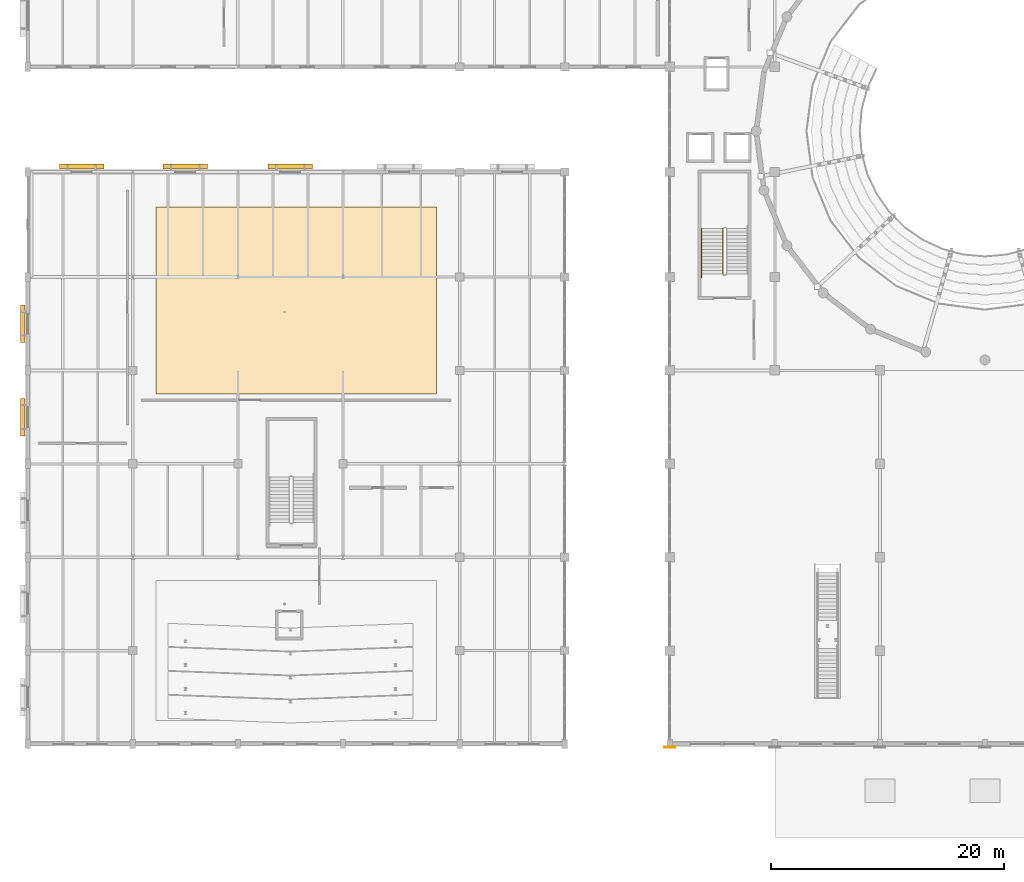
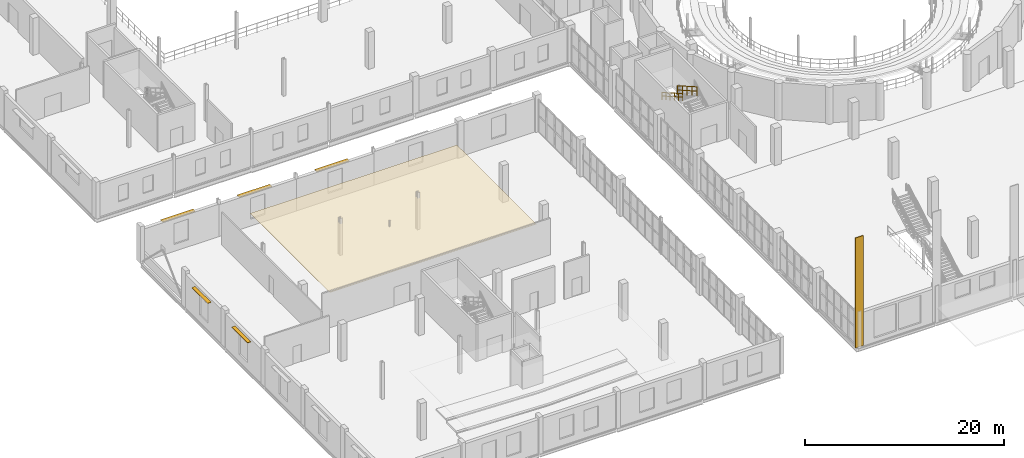
# One storey, part 83 of 93: 5 shading devices, 2 coverings, 2 railings.
"""IFC4 building model written with IfcOpenShell, lengths in metres."""

from ifc_helpers import new_model, si_unit, direction, frame, origin, origin_2d, place, context, subcontext, project, spatial, polyline, rectangle, circle, outline, extrude, material, layer, layer_set, type_object, element, save


model = new_model("IFC4")

# Units and contexts
model_context = context("Model", 3, precision=1e-05, world=origin(), true_north=direction((0.0, 1.0)))
body_context = subcontext(model_context, "Body", "Model", "MODEL_VIEW")
ifc_project = project(units=[si_unit("LENGTHUNIT", "METRE"), si_unit("AREAUNIT", "SQUARE_METRE"), si_unit("VOLUMEUNIT", "CUBIC_METRE"), si_unit("PLANEANGLEUNIT", "RADIAN"), si_unit("MASSUNIT", "GRAM", prefix="KILO")], contexts=[model_context])

# Site, building, storey
site_placement = place(None, origin())
site = spatial("IfcSite", under=ifc_project, at=site_placement, CompositionType="ELEMENT")
building_placement = place(site_placement, origin())
building = spatial("IfcBuilding", under=site, at=building_placement, Name="Marnock Terrace Opera House", CompositionType="ELEMENT")
storey_placement = place(building_placement, frame((0.0, 0.0, 5.39990234375)))
storey = spatial("IfcBuildingStorey", under=building, at=storey_placement, Name="L01", CompositionType="ELEMENT", Elevation=5.39990234375)

# Coverings
ifc_material_1 = material(Name="Perforated Tasmanian oak acoustic ceiling reflector")
ifc_layer_1 = layer(ifc_material_1, 0.044921875)
ifc_layer_set_1 = layer_set([ifc_layer_1], Name="Perforated Tasmanian oak acoustic ceiling reflector")
covering_type_1 = type_object("IfcCoveringType", Name="COV-CEIL-OAK", PredefinedType="CEILING", material=ifc_layer_set_1)
covering_1_placement = place(storey_placement, frame((0.0, 0.0, 3.800048828125)))
element("IfcCovering", 1, at=covering_1_placement, inside=storey, type_object=covering_type_1, Name="L01 acoustic reflector ceiling CLG-REHEARS-01", PredefinedType="CEILING", context=body_context, shape_type="SweptSolid", body=[
    extrude(outline(polyline([(11.0, 38.0), (35.0, 38.0), (35.0, 54.0), (11.0, 54.0), (11.0, 38.0)])), origin(), (0.0, 0.0, 1.0), 0.045166015625),
])
ifc_material_2 = material(Name="Basket Range sandstone ashlar masonry", Category="masonry")
ifc_layer_2 = layer(ifc_material_2, 0.0849609375)
ifc_layer_set_2 = layer_set([ifc_layer_2], Name="Basket Range sandstone ashlar masonry")
covering_type_2 = type_object("IfcCoveringType", Name="COV-CLAD-ASHLAR", PredefinedType="CLADDING", material=ifc_layer_set_2)
covering_2_placement = place(storey_placement, frame((55.0, 7.719970703125, 0.150146484375), z_axis=(0.0, 0.0, 1.0), x_axis=(1.0, 0.0, 0.0)))
element("IfcCovering", 2, at=covering_2_placement, inside=storey, type_object=covering_type_2, Name="Grand Hall south Basket Range sandstone pilaster cladding 1", PredefinedType="CLADDING", context=body_context, shape_type="SweptSolid", body=[
    extrude(rectangle(XDim=0.949951171875, YDim=0.0849609375, at=origin_2d()), origin(), (0.0, 0.0, 1.0), 13.5),
])

# Railings
ifc_material_3 = material(Name="Architectural bronze balustrade")
railing_type_1 = type_object("IfcRailingType", Name="RL-GUARD-1100", PredefinedType="GUARDRAIL", material=ifc_material_3)
railing_1_placement = place(storey_placement, frame((59.550048828125, 52.139892578125, 2.571533203125)))
element("IfcRailing", 3, at=railing_1_placement, inside=storey, type_object=railing_type_1, Name="L01 ST-01 stair guard 3", PredefinedType="GUARDRAIL", context=body_context, shape_type="SweptSolid", body=[
    extrude(circle(Radius=0.02392578125, at=origin_2d()), frame((0.0, 0.0, 1.076171875), z_axis=(0.0, -0.868243142124, 0.496138938357), x_axis=(1.0, 0.0, 0.0)), (0.0, 0.0, 1.0), 4.49169921875),
    extrude(circle(Radius=0.02392578125, at=origin_2d()), frame((0.0, 0.0, 0.550048828125), z_axis=(0.0, -0.868243142124, 0.496138938357), x_axis=(1.0, 0.0, 0.0)), (0.0, 0.0, 1.0), 4.49169921875),
    extrude(circle(Radius=0.02099609375, at=origin_2d()), origin(), (0.0, 0.0, 1.0), 1.052001953125),
    extrude(circle(Radius=0.02099609375, at=origin_2d()), frame((0.0, -0.97509765625, 0.55712890625)), (0.0, 0.0, 1.0), 1.052001953125),
    extrude(circle(Radius=0.02099609375, at=origin_2d()), frame((0.0, -1.949951171875, 1.1142578125)), (0.0, 0.0, 1.0), 1.052001953125),
    extrude(circle(Radius=0.02099609375, at=origin_2d()), frame((0.0, -2.9248046875, 1.67138671875)), (0.0, 0.0, 1.0), 1.052001953125),
    extrude(circle(Radius=0.02099609375, at=origin_2d()), frame((0.0, -3.89990234375, 2.228515625)), (0.0, 0.0, 1.0), 1.052001953125),
])
railing_type_2 = type_object("IfcRailingType", Name="RL-HAND-900", PredefinedType="HANDRAIL", material=ifc_material_3)
railing_2_placement = place(storey_placement, frame((57.72998046875, 52.139892578125, 2.58349609375)))
element("IfcRailing", 4, at=railing_2_placement, inside=storey, type_object=railing_type_2, Name="L01 ST-01 stair handrail 2", PredefinedType="HANDRAIL", context=body_context, shape_type="SweptSolid", body=[
    extrude(circle(Radius=0.02392578125, at=origin_2d()), frame((0.0, 0.0, 0.8759765625), z_axis=(0.0, -0.868227612608, 0.496166114024), x_axis=(1.0, 0.0, 0.0)), (0.0, 0.0, 1.0), 4.83740234375),
    extrude(circle(Radius=0.02392578125, at=origin_2d()), frame((0.0, 0.0, 0.449951171875), z_axis=(0.0, -0.868227612608, 0.496166114024), x_axis=(1.0, 0.0, 0.0)), (0.0, 0.0, 1.0), 4.83740234375),
    extrude(circle(Radius=0.02099609375, at=origin_2d()), origin(), (0.0, 0.0, 1.0), 0.851806640625),
    extrude(circle(Radius=0.02099609375, at=origin_2d()), frame((0.0, -0.840087890625, 0.47998046875)), (0.0, 0.0, 1.0), 0.851806640625),
    extrude(circle(Radius=0.02099609375, at=origin_2d()), frame((0.0, -1.679931640625, 0.9599609375)), (0.0, 0.0, 1.0), 0.851806640625),
    extrude(circle(Radius=0.02099609375, at=origin_2d()), frame((0.0, -2.52001953125, 1.440185546875)), (0.0, 0.0, 1.0), 0.851806640625),
    extrude(circle(Radius=0.02099609375, at=origin_2d()), frame((0.0, -3.35986328125, 1.920166015625)), (0.0, 0.0, 1.0), 0.851806640625),
    extrude(circle(Radius=0.02099609375, at=origin_2d()), frame((0.0, -4.199951171875, 2.400146484375)), (0.0, 0.0, 1.0), 0.851806640625),
])

# Shading devices
ifc_material_4 = material(Name="Architectural cast bronze")
ifc_layer_3 = layer(ifc_material_4, 0.050048828125)
ifc_layer_set_3 = layer_set([ifc_layer_3], Name="Architectural cast bronze")
shading_device_type_1 = type_object("IfcShadingDeviceType", Name="SHD-LOUVRE-3200", PredefinedType="JALOUSIE", material=ifc_layer_set_3)
for number, where, z_axis, x_axis, name in (
    (5, (-0.43505859375, 36.0, 3.8564453125), (0.0, 0.0, 1.0), (0.0, 1.0, 0.0), "Adelaide sun-control bronze brise-soleil EW-V3W-L01-4"),
    (6, (-0.43505859375, 44.0, 3.8564453125), (0.0, 0.0, 1.0), (0.0, 1.0, 0.0), "Adelaide sun-control bronze brise-soleil EW-V3W-L01-5"),
):
    element("IfcShadingDevice", number, at=place(storey_placement, frame(where, z_axis=z_axis, x_axis=x_axis)), inside=storey, type_object=shading_device_type_1, Name=name, PredefinedType="JALOUSIE", context=body_context, shape_type="SweptSolid", body=[
        extrude(rectangle(XDim=3.199951171875, YDim=0.39990234375, at=origin_2d()), origin(), (0.0, 0.0, 1.0), 0.050048828125),
    ])
ifc_layer_4 = layer(ifc_material_4, 0.054931640625)
ifc_layer_set_4 = layer_set([ifc_layer_4], Name="Architectural cast bronze")
shading_device_type_2 = type_object("IfcShadingDeviceType", Name="SHD-LOUVRE-3800", PredefinedType="JALOUSIE", material=ifc_layer_set_4)
for number, where, z_axis, x_axis, name in (
    (7, (4.610595703125, 57.465087890625, 3.6796875), (0.0, 0.0, 1.0), (1.0, 0.0, 0.0), "Adelaide sun-control bronze brise-soleil EW-V3N-L01-1"),
    (8, (13.5, 57.465087890625, 3.60546875), (0.0, 0.0, 1.0), (1.0, 0.0, 0.0), "Adelaide sun-control bronze brise-soleil EW-V3N-L01-2"),
    (9, (22.5, 57.465087890625, 3.60107421875), (0.0, 0.0, 1.0), (1.0, 0.0, 0.0), "Adelaide sun-control bronze brise-soleil EW-V3N-L01-3"),
):
    element("IfcShadingDevice", number, at=place(storey_placement, frame(where, z_axis=z_axis, x_axis=x_axis)), inside=storey, type_object=shading_device_type_2, Name=name, PredefinedType="JALOUSIE", context=body_context, shape_type="SweptSolid", body=[
        extrude(rectangle(XDim=3.800048828125, YDim=0.449951171875, at=origin_2d()), origin(), (0.0, 0.0, 1.0), 0.054931640625),
    ])

save(model, "model.ifc")
